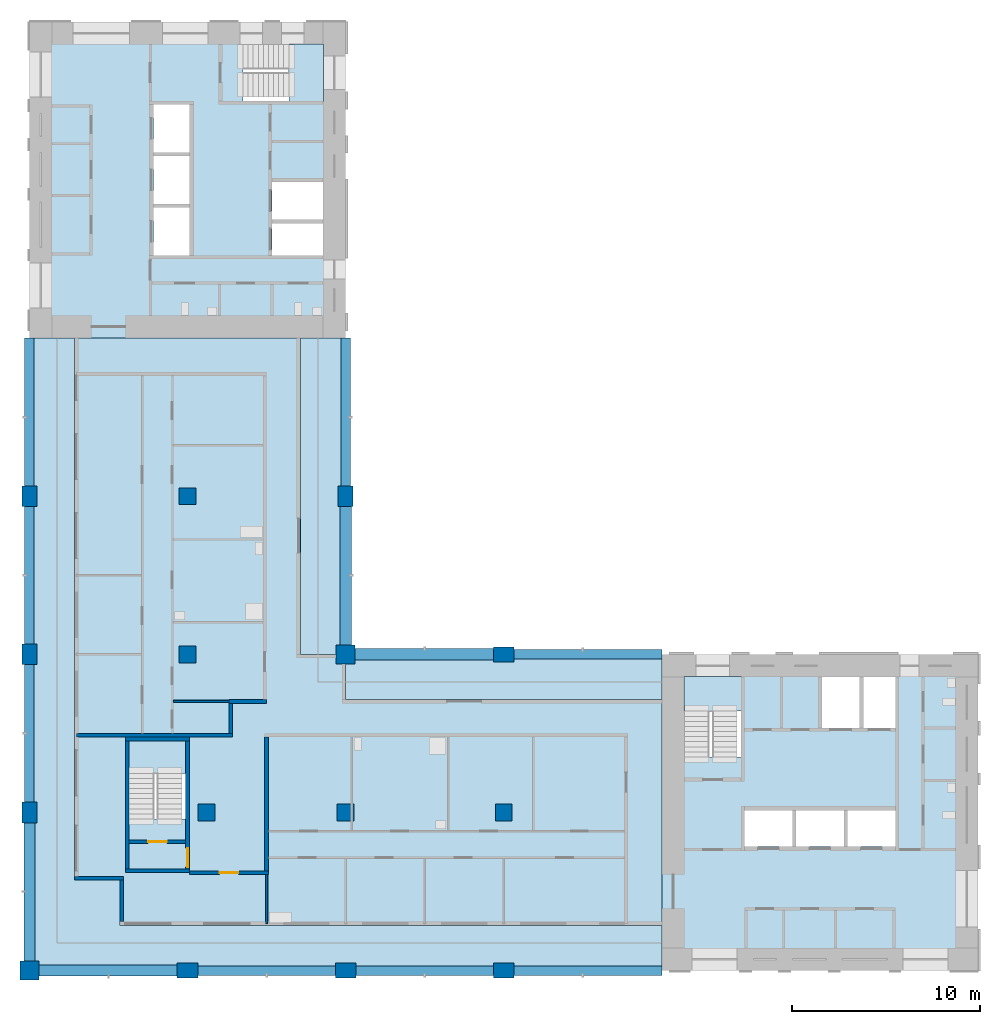
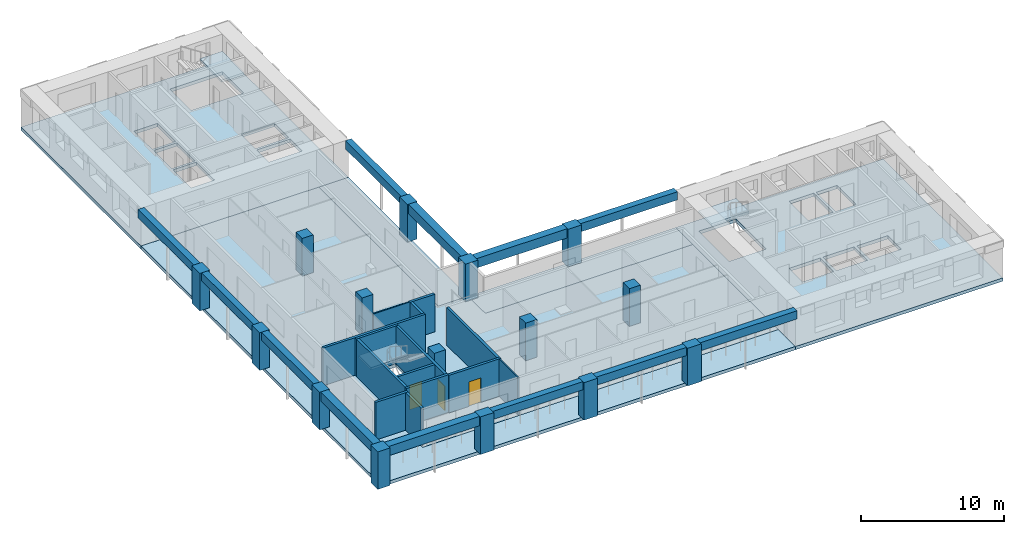
# One storey, part 1 of 9: 15 columns, 14 walls, 12 beams, 10 slabs, 3 doors, 3 openings, 3 elements without a shape of their own.
"""IFC4 building model written with IfcOpenShell, lengths in metres."""

from ifc_helpers import new_model, si_unit, direction, frame, frame_2d, origin, origin_2d, place, context, subcontext, project, spatial, polyline, rectangle, outline, extrude, material, layer, layer_set, material_profile, profile_set, type_object, element, fill, aggregate, save


model = new_model("IFC4")

# Units and contexts
model_context = context("Model", 3, precision=1e-05, world=origin(), true_north=direction((0.0, 1.0)))
body_context = subcontext(model_context, "Body", "Model", "MODEL_VIEW")
ifc_project = project(units=[si_unit("LENGTHUNIT", "METRE"), si_unit("AREAUNIT", "SQUARE_METRE"), si_unit("VOLUMEUNIT", "CUBIC_METRE"), si_unit("PLANEANGLEUNIT", "RADIAN"), si_unit("MASSUNIT", "GRAM", prefix="KILO")], contexts=[model_context])

# Site, building, storey
site_placement = place(None, origin())
site = spatial("IfcSite", under=ifc_project, at=site_placement, CompositionType="ELEMENT")
building_placement = place(site_placement, origin())
building = spatial("IfcBuilding", under=site, at=building_placement, Name="Vermilion Gate Residences", CompositionType="ELEMENT")
storey_placement = place(building_placement, frame((0.0, 0.0, 231.699951171875)))
storey = spatial("IfcBuildingStorey", under=building, at=storey_placement, Name="L60", CompositionType="ELEMENT", Elevation=231.699951171875)

# Columns
ifc_material_1 = material(Name="Concrete C50", Category="concrete")
ifc_material_profile_1 = material_profile(ifc_material_1, rectangle(XDim=1.0, YDim=1.0, at=origin_2d()), Name="RC-1000x1000")
ifc_profile_set_1 = profile_set([ifc_material_profile_1], Name="Concrete C50")
column_type_1 = type_object("IfcColumnType", Name="RC COLUMN 1000 X 1000 C50", PredefinedType="COLUMN", material=ifc_profile_set_1)
for number, where, z_axis, x_axis, name in (
    (1, (8.39990234375, 8.39990234375, 0.0), (0.0, 0.0, 1.0), (1.0, 0.0, 0.0), "Column 2-B L60"),
    (2, (25.199951171875, 25.199951171875, 0.0), (0.0, 0.0, 1.0), (1.0, 0.0, 0.0), "Column 4-D L60"),
):
    element("IfcColumn", number, at=place(storey_placement, frame(where, z_axis=z_axis, x_axis=x_axis)), inside=storey, type_object=column_type_1, Name=name, PredefinedType="COLUMN", context=body_context, shape_type="SweptSolid", body=[
        extrude(rectangle(XDim=1.0, YDim=1.0, at=origin_2d()), origin(), (0.0, 0.0, 1.0), 3.219970703125),
    ])
ifc_material_2 = material(Name="Concrete C50", Category="concrete")
ifc_material_profile_2 = material_profile(ifc_material_2, rectangle(XDim=1.10009765625, YDim=0.800048828125, at=origin_2d()), Name="RC-1100x800")
ifc_profile_set_2 = profile_set([ifc_material_profile_2], Name="Concrete C50")
column_type_2 = type_object("IfcColumnType", Name="RC COLUMN 1100 X 800 C50", PredefinedType="COLUMN", material=ifc_profile_set_2)
for number, where, z_axis, x_axis, name in (
    (3, (8.39990234375, 16.800048828125, 0.0), (0.0, 0.0, 1.0), (0.0, 1.0, 0.0), "Column 2-C L60"),
    (4, (8.39990234375, 25.199951171875, 0.0), (0.0, 0.0, 1.0), (0.0, 1.0, 0.0), "Column 2-D L60"),
    (5, (8.39990234375, 33.60009765625, 0.0), (0.0, 0.0, 1.0), (0.0, 1.0, 0.0), "Column 2-E L60"),
    (6, (16.800048828125, 8.39990234375, 0.0), (0.0, 0.0, 1.0), (1.0, 0.0, 0.0), "Column 3-B L60"),
    (7, (25.199951171875, 8.39990234375, 0.0), (0.0, 0.0, 1.0), (1.0, 0.0, 0.0), "Column 4-B L60"),
    (8, (25.199951171875, 33.60009765625, 0.0), (0.0, 0.0, 1.0), (0.0, 1.0, 0.0), "Column 4-E L60"),
    (9, (33.60009765625, 8.39990234375, 0.0), (0.0, 0.0, 1.0), (1.0, 0.0, 0.0), "Column 5-B L60"),
    (10, (33.60009765625, 25.199951171875, 0.0), (0.0, 0.0, 1.0), (1.0, 0.0, 0.0), "Column 5-D L60"),
):
    element("IfcColumn", number, at=place(storey_placement, frame(where, z_axis=z_axis, x_axis=x_axis)), inside=storey, type_object=column_type_2, Name=name, PredefinedType="COLUMN", context=body_context, shape_type="SweptSolid", body=[
        extrude(rectangle(XDim=1.10009765625, YDim=0.800048828125, at=origin_2d()), origin(), (0.0, 0.0, 1.0), 3.219970703125),
    ])
ifc_material_3 = material(Name="Concrete C50", Category="concrete")
ifc_material_profile_3 = material_profile(ifc_material_3, rectangle(XDim=0.89990234375, YDim=0.89990234375, at=origin_2d()), Name="RC-900x900")
ifc_profile_set_3 = profile_set([ifc_material_profile_3], Name="Concrete C50")
column_type_3 = type_object("IfcColumnType", Name="RC COLUMN 900 X 900 C50", PredefinedType="COLUMN", material=ifc_profile_set_3)
for number, where, z_axis, x_axis, name in (
    (11, (17.800048828125, 16.800048828125, 0.0), (0.0, 0.0, 1.0), (1.0, 0.0, 0.0), "Column 3-C L60"),
    (12, (16.800048828125, 25.199951171875, 0.0), (0.0, 0.0, 1.0), (1.0, 0.0, 0.0), "Column 3-D L60"),
    (13, (16.800048828125, 33.60009765625, 0.0), (0.0, 0.0, 1.0), (1.0, 0.0, 0.0), "Column 3-E L60"),
    (14, (25.199951171875, 16.800048828125, 0.0), (0.0, 0.0, 1.0), (1.0, 0.0, 0.0), "Column 4-C L60"),
    (15, (33.60009765625, 16.800048828125, 0.0), (0.0, 0.0, 1.0), (1.0, 0.0, 0.0), "Column 5-C L60"),
):
    element("IfcColumn", number, at=place(storey_placement, frame(where, z_axis=z_axis, x_axis=x_axis)), inside=storey, type_object=column_type_3, Name=name, PredefinedType="COLUMN", context=body_context, shape_type="SweptSolid", body=[
        extrude(rectangle(XDim=0.89990234375, YDim=0.89990234375, at=origin_2d()), origin(), (0.0, 0.0, 1.0), 3.219970703125),
    ])

# Beams
ifc_material_4 = material(Name="Concrete C60 red-oxide pigmented", Category="concrete")
ifc_material_profile_4 = material_profile(ifc_material_4, rectangle(XDim=0.60009765625, YDim=0.800048828125, at=origin_2d()), Name="RC-600x800")
ifc_profile_set_4 = profile_set([ifc_material_profile_4], Name="Concrete C60 red-oxide pigmented")
beam_type_1 = type_object("IfcBeamType", Name="RC CORNER EDGE BEAM 600 X 800 C60", PredefinedType="BEAM", material=ifc_profile_set_4)
for number, where, z_axis, x_axis, name in (
    (16, (8.89990234375, 8.39990234375, 2.820068359375), (1.0, 0.0, 0.0), (0.0, 1.0, 0.0), "Corner edge beam L60 1"),
    (17, (8.39990234375, 8.89990234375, 2.820068359375), (0.0, 1.0, 0.0), (-1.0, 0.0, 0.0), "Corner edge beam L60 2"),
    (18, (25.199951171875, 25.699951171875, 2.820068359375), (0.0, 1.0, 0.0), (-1.0, 0.0, 0.0), "Corner edge beam L60 7"),
    (19, (25.699951171875, 25.199951171875, 2.820068359375), (1.0, 0.0, 0.0), (0.0, 1.0, 0.0), "Corner edge beam L60 10"),
):
    element("IfcBeam", number, at=place(storey_placement, frame(where, z_axis=z_axis, x_axis=x_axis)), inside=storey, type_object=beam_type_1, Name=name, PredefinedType="BEAM", context=body_context, shape_type="SweptSolid", body=[
        extrude(rectangle(XDim=0.60009765625, YDim=0.800048828125, at=origin_2d()), origin(), (0.0, 0.0, 1.0), 7.35009765625),
    ])
ifc_material_5 = material(Name="Concrete C60 red-oxide pigmented", Category="concrete")
ifc_material_profile_5 = material_profile(ifc_material_5, rectangle(XDim=0.5, YDim=0.699951171875, at=origin_2d()), Name="RC-500x700")
ifc_profile_set_5 = profile_set([ifc_material_profile_5], Name="Concrete C60 red-oxide pigmented")
beam_type_2 = type_object("IfcBeamType", Name="RC EDGE BEAM 500 X 700 C60", PredefinedType="BEAM", material=ifc_profile_set_5)
beam_1_placement = place(storey_placement, frame((8.39990234375, 17.35009765625, 2.8701171875), z_axis=(0.0, 1.0, 0.0), x_axis=(-1.0, 0.0, 0.0)))
element("IfcBeam", 20, at=beam_1_placement, inside=storey, type_object=beam_type_2, Name="Edge beam L60 3", PredefinedType="BEAM", context=body_context, shape_type="SweptSolid", body=[
    extrude(rectangle(XDim=0.5, YDim=0.699951171875, at=origin_2d()), origin(), (0.0, 0.0, 1.0), 7.2998046875),
])
beam_2_placement = place(storey_placement, frame((8.39990234375, 25.75, 2.8701171875), z_axis=(0.0, 1.0, 0.0), x_axis=(-1.0, 0.0, 0.0)))
element("IfcBeam", 21, at=beam_2_placement, inside=storey, type_object=beam_type_2, Name="Edge beam L60 4", PredefinedType="BEAM", context=body_context, shape_type="SweptSolid", body=[
    extrude(rectangle(XDim=0.5, YDim=0.699951171875, at=origin_2d()), origin(), (0.0, 0.0, 1.0), 7.300048828125),
])
beam_3_placement = place(storey_placement, frame((8.39990234375, 34.14990234375, 2.8701171875), z_axis=(0.0, 1.0, 0.0), x_axis=(-1.0, 0.0, 0.0)))
element("IfcBeam", 22, at=beam_3_placement, inside=storey, type_object=beam_type_2, Name="Edge beam L60 5", PredefinedType="BEAM", context=body_context, shape_type="SweptSolid", body=[
    extrude(rectangle(XDim=0.5, YDim=0.699951171875, at=origin_2d()), origin(), (0.0, 0.0, 1.0), 7.85009765625),
])
beam_4_placement = place(storey_placement, frame((17.35009765625, 8.39990234375, 2.8701171875), z_axis=(1.0, 0.0, 0.0), x_axis=(0.0, 1.0, 0.0)))
element("IfcBeam", 23, at=beam_4_placement, inside=storey, type_object=beam_type_2, Name="Edge beam L60 6", PredefinedType="BEAM", context=body_context, shape_type="SweptSolid", body=[
    extrude(rectangle(XDim=0.5, YDim=0.699951171875, at=origin_2d()), origin(), (0.0, 0.0, 1.0), 7.2998046875),
])
beam_5_placement = place(storey_placement, frame((25.199951171875, 34.14990234375, 2.8701171875), z_axis=(0.0, 1.0, 0.0), x_axis=(-1.0, 0.0, 0.0)))
element("IfcBeam", 24, at=beam_5_placement, inside=storey, type_object=beam_type_2, Name="Edge beam L60 8", PredefinedType="BEAM", context=body_context, shape_type="SweptSolid", body=[
    extrude(rectangle(XDim=0.5, YDim=0.699951171875, at=origin_2d()), origin(), (0.0, 0.0, 1.0), 7.85009765625),
])
beam_6_placement = place(storey_placement, frame((25.75, 8.39990234375, 2.8701171875), z_axis=(1.0, 0.0, 0.0), x_axis=(0.0, 1.0, 0.0)))
element("IfcBeam", 25, at=beam_6_placement, inside=storey, type_object=beam_type_2, Name="Edge beam L60 9", PredefinedType="BEAM", context=body_context, shape_type="SweptSolid", body=[
    extrude(rectangle(XDim=0.5, YDim=0.699951171875, at=origin_2d()), origin(), (0.0, 0.0, 1.0), 7.300048828125),
])
for number, where, z_axis, x_axis, name in (
    (26, (34.14990234375, 8.39990234375, 2.8701171875), (1.0, 0.0, 0.0), (0.0, 1.0, 0.0), "Edge beam L60 11"),
    (27, (34.14990234375, 25.199951171875, 2.8701171875), (1.0, 0.0, 0.0), (0.0, 1.0, 0.0), "Edge beam L60 12"),
):
    element("IfcBeam", number, at=place(storey_placement, frame(where, z_axis=z_axis, x_axis=x_axis)), inside=storey, type_object=beam_type_2, Name=name, PredefinedType="BEAM", context=body_context, shape_type="SweptSolid", body=[
        extrude(rectangle(XDim=0.5, YDim=0.699951171875, at=origin_2d()), origin(), (0.0, 0.0, 1.0), 7.85009765625),
    ])

# Slabs
ifc_material_6 = material(Name="Concrete C50", Category="concrete")
ifc_layer_1 = layer(ifc_material_6, 0.280029296875)
ifc_layer_set_1 = layer_set([ifc_layer_1], Name="RC CORE FLOOR SLAB 280 C50")
slab_type_1 = type_object("IfcSlabType", Name="RC CORE FLOOR SLAB 280 C50", PredefinedType="FLOOR", material=ifc_layer_set_1)
slab_1_placement = place(storey_placement, frame((0.0, 0.0, -0.280029296875)))
element("IfcSlab", 28, at=slab_1_placement, inside=storey, type_object=slab_type_1, Name="Core floor slab A60", PredefinedType="FLOOR", context=body_context, shape_type="SweptSolid", body=[
    extrude(outline(polyline([(42.0, 8.39990234375), (58.800048828125, 8.39990234375), (58.800048828125, 25.199951171875), (42.0, 25.199951171875), (42.0, 8.39990234375)]), holes=[polyline([(46.39990234375, 15.0), (46.39990234375, 16.89990234375), (48.933349609375, 16.89990234375), (48.933349609375, 15.0), (46.39990234375, 15.0)]), polyline([(49.13330078125, 16.89990234375), (51.666748046875, 16.89990234375), (51.666748046875, 15.0), (49.13330078125, 15.0), (49.13330078125, 16.89990234375)]), polyline([(51.86669921875, 16.89990234375), (54.39990234375, 16.89990234375), (54.39990234375, 15.0), (51.86669921875, 15.0), (51.86669921875, 16.89990234375)]), polyline([(43.199951171875, 19.75), (43.199951171875, 24.0), (46.199951171875, 24.0), (46.199951171875, 19.75), (43.199951171875, 19.75)]), polyline([(50.5, 24.0), (52.5, 24.0), (52.5, 21.300048828125), (50.5, 21.300048828125), (50.5, 24.0)]), polyline([(52.699951171875, 24.0), (54.39990234375, 24.0), (54.39990234375, 21.300048828125), (52.699951171875, 21.300048828125), (52.699951171875, 24.0)])]), origin(), (0.0, 0.0, 1.0), 0.280029296875),
])
slab_2_placement = place(storey_placement, frame((0.0, 0.0, -0.280029296875)))
element("IfcSlab", 29, at=slab_2_placement, inside=storey, type_object=slab_type_1, Name="Core floor slab B60", PredefinedType="FLOOR", context=body_context, shape_type="SweptSolid", body=[
    extrude(outline(polyline([(8.39990234375, 42.0), (25.199951171875, 42.0), (25.199951171875, 58.800048828125), (8.39990234375, 58.800048828125), (8.39990234375, 42.0)]), holes=[polyline([(21.300048828125, 46.39990234375), (21.300048828125, 48.10009765625), (24.0, 48.10009765625), (24.0, 46.39990234375), (21.300048828125, 46.39990234375)]), polyline([(15.0, 48.933349609375), (16.89990234375, 48.933349609375), (16.89990234375, 46.39990234375), (15.0, 46.39990234375), (15.0, 48.933349609375)]), polyline([(21.300048828125, 50.300048828125), (24.0, 50.300048828125), (24.0, 48.300048828125), (21.300048828125, 48.300048828125), (21.300048828125, 50.300048828125)]), polyline([(15.0, 49.13330078125), (15.0, 51.666748046875), (16.89990234375, 51.666748046875), (16.89990234375, 49.13330078125), (15.0, 49.13330078125)]), polyline([(15.0, 54.39990234375), (16.89990234375, 54.39990234375), (16.89990234375, 51.86669921875), (15.0, 51.86669921875), (15.0, 54.39990234375)]), polyline([(19.75, 57.60009765625), (24.0, 57.60009765625), (24.0, 54.60009765625), (19.75, 54.60009765625), (19.75, 57.60009765625)])]), origin(), (0.0, 0.0, 1.0), 0.280029296875),
])
slab_3_placement = place(storey_placement, frame((0.0, 0.0, -0.280029296875)))
element("IfcSlab", 30, at=slab_3_placement, inside=storey, type_object=slab_type_1, Name="Apex stair floor slab 60", PredefinedType="FLOOR", context=body_context, shape_type="SweptSolid", body=[
    extrude(outline(polyline([(13.5, 13.60009765625), (16.89990234375, 13.60009765625), (16.89990234375, 20.800048828125), (13.5, 20.800048828125), (13.5, 13.60009765625)]), holes=[polyline([(16.699951171875, 20.60009765625), (16.699951171875, 16.449951171875), (13.699951171875, 16.449951171875), (13.699951171875, 20.60009765625), (16.699951171875, 20.60009765625)])]), origin(), (0.0, 0.0, 1.0), 0.280029296875),
])
ifc_material_7 = material(Name="Concrete C50", Category="concrete")
ifc_layer_2 = layer(ifc_material_7, 0.280029296875)
ifc_layer_set_2 = layer_set([ifc_layer_2], Name="RC FLAT PLATE 280 C50")
slab_type_2 = type_object("IfcSlabType", Name="RC FLAT PLATE 280 C50", PredefinedType="FLOOR", material=ifc_layer_set_2)
slab_4_placement = place(storey_placement, frame((0.0, 0.0, -0.280029296875)))
element("IfcSlab", 31, at=slab_4_placement, inside=storey, type_object=slab_type_2, Name="Floor slab L60", PredefinedType="FLOOR", context=body_context, shape_type="SweptSolid", body=[
    extrude(outline(polyline([(22.800048828125, 25.199951171875), (22.800048828125, 42.0), (10.800048828125, 42.0), (10.800048828125, 13.199951171875), (13.199951171875, 13.199951171875), (13.199951171875, 10.800048828125), (42.0, 10.800048828125), (42.0, 22.800048828125), (25.199951171875, 22.800048828125), (25.199951171875, 25.199951171875), (22.800048828125, 25.199951171875)]), holes=[polyline([(13.5, 13.60009765625), (13.5, 20.800048828125), (16.89990234375, 20.800048828125), (16.89990234375, 13.60009765625), (13.5, 13.60009765625)])]), origin(), (0.0, 0.0, 1.0), 0.280029296875),
])
ifc_material_8 = material(Name="Concrete C50 red-oxide pigmented", Category="concrete")
ifc_layer_3 = layer(ifc_material_8, 0.280029296875)
ifc_layer_set_3 = layer_set([ifc_layer_3], Name="RC LOGGIA SLAB 280 C50")
slab_type_3 = type_object("IfcSlabType", Name="RC LOGGIA SLAB 280 C50", PredefinedType="FLOOR", material=ifc_layer_set_3)
slab_5_placement = place(storey_placement, frame((0.0, 0.0, -0.280029296875)))
element("IfcSlab", 32, at=slab_5_placement, inside=storey, type_object=slab_type_3, Name="Loggia slab L60", PredefinedType="FLOOR", context=body_context, shape_type="SweptSolid", body=[
    extrude(outline(polyline([(8.39990234375, 8.39990234375), (42.0, 8.39990234375), (42.0, 10.800048828125), (13.199951171875, 10.800048828125), (13.199951171875, 13.199951171875), (10.800048828125, 13.199951171875), (10.800048828125, 42.0), (8.39990234375, 42.0), (8.39990234375, 8.39990234375)])), origin(), (0.0, 0.0, 1.0), 0.280029296875),
])
slab_6_placement = place(storey_placement, frame((0.0, 0.0, -0.280029296875)))
element("IfcSlab", 33, at=slab_6_placement, inside=storey, type_object=slab_type_3, Name="Loggia slab L60", PredefinedType="FLOOR", context=body_context, shape_type="SweptSolid", body=[
    extrude(outline(polyline([(25.199951171875, 22.800048828125), (42.0, 22.800048828125), (42.0, 25.199951171875), (25.199951171875, 25.199951171875), (25.199951171875, 22.800048828125)])), origin(), (0.0, 0.0, 1.0), 0.280029296875),
])
slab_7_placement = place(storey_placement, frame((0.0, 0.0, -0.280029296875)))
element("IfcSlab", 34, at=slab_7_placement, inside=storey, type_object=slab_type_3, Name="Loggia slab L60", PredefinedType="FLOOR", context=body_context, shape_type="SweptSolid", body=[
    extrude(outline(polyline([(25.199951171875, 42.0), (22.800048828125, 42.0), (22.800048828125, 25.199951171875), (25.199951171875, 25.199951171875), (25.199951171875, 42.0)])), origin(), (0.0, 0.0, 1.0), 0.280029296875),
])

# Stair, slab
ifc_material_9 = material(Name="Concrete C50", Category="concrete")
stair_type = type_object("IfcStairType", Name="SPECIAL ESCAPE STAIR 1300", PredefinedType="HALF_TURN_STAIR", material=ifc_material_9)
stair_1_placement = place(storey_placement, origin())
stair_1 = element("IfcStair", 35, at=stair_1_placement, inside=storey, type_object=stair_type, Name="Special escape stair STA1-60", PredefinedType="HALF_TURN_STAIR")
ifc_material_10 = material(Name="Concrete C50", Category="concrete")
ifc_layer_4 = layer(ifc_material_10, 0.199951171875)
ifc_layer_set_4 = layer_set([ifc_layer_4], Name="STAIR LANDING 200 C50")
slab_type_4 = type_object("IfcSlabType", Name="STAIR LANDING 200 C50", PredefinedType="LANDING", material=ifc_layer_set_4)
slab_8_placement = place(storey_placement, frame((0.0, 0.0, 1.550048828125)))
slab_8 = element("IfcSlab", 36, at=slab_8_placement, type_object=slab_type_4, Name="STA1-60 landing 1", PredefinedType="LANDING", context=body_context, shape_type="SweptSolid", body=[
    extrude(outline(polyline([(46.219970703125, 22.179931640625), (46.219970703125, 24.02001953125), (43.179931640625, 24.02001953125), (43.179931640625, 22.179931640625), (46.219970703125, 22.179931640625)])), origin(), (0.0, 0.0, 1.0), 0.199951171875),
])
aggregate(stair_1, [slab_8])

stair_2_placement = place(storey_placement, origin())
stair_2 = element("IfcStair", 37, at=stair_2_placement, inside=storey, type_object=stair_type, Name="Special escape stair STB1-60", PredefinedType="HALF_TURN_STAIR")
slab_9_placement = place(storey_placement, frame((0.0, 0.0, 1.550048828125)))
slab_9 = element("IfcSlab", 38, at=slab_9_placement, type_object=slab_type_4, Name="STB1-60 landing 1", PredefinedType="LANDING", context=body_context, shape_type="SweptSolid", body=[
    extrude(outline(polyline([(24.02001953125, 54.580078125), (24.02001953125, 57.6201171875), (22.179931640625, 57.6201171875), (22.179931640625, 54.580078125), (24.02001953125, 54.580078125)])), origin(), (0.0, 0.0, 1.0), 0.199951171875),
])
aggregate(stair_2, [slab_9])

stair_3_placement = place(storey_placement, origin())
stair_3 = element("IfcStair", 39, at=stair_3_placement, inside=storey, type_object=stair_type, Name="Special escape stair STC1-60", PredefinedType="HALF_TURN_STAIR")
slab_10_placement = place(storey_placement, frame((0.0, 0.0, 1.550048828125)))
slab_10 = element("IfcSlab", 40, at=slab_10_placement, type_object=slab_type_4, Name="STC1-60 landing 1", PredefinedType="LANDING", context=body_context, shape_type="SweptSolid", body=[
    extrude(outline(polyline([(16.719970703125, 18.8798828125), (16.719970703125, 20.6201171875), (13.679931640625, 20.6201171875), (13.679931640625, 18.8798828125), (16.719970703125, 18.8798828125)])), origin(), (0.0, 0.0, 1.0), 0.199951171875),
])
aggregate(stair_3, [slab_10])

# Walls
ifc_material_11 = material(Name="Insulated steel stud wall with terracotta rainscreen", Category="masonry")
ifc_layer_5 = layer(ifc_material_11, 0.199951171875)
ifc_layer_set_5 = layer_set([ifc_layer_5], Name="EXTERNAL WALL 200 TERRACOTTA RAINSCREEN")
wall_type_1 = type_object("IfcWallType", Name="EXTERNAL WALL 200 TERRACOTTA RAINSCREEN", PredefinedType="SOLIDWALL", material=ifc_layer_set_5)
wall_1_placement = place(storey_placement, frame((10.800048828125, 13.300048828125, 0.0), z_axis=(0.0, 0.0, 1.0), x_axis=(1.0, 0.0, 0.0)))
element("IfcWall", 41, at=wall_1_placement, inside=storey, type_object=wall_type_1, Name="External wall", PredefinedType="SOLIDWALL", context=body_context, shape_type="SweptSolid", body=[
    extrude(rectangle(XDim=2.599853515625, YDim=0.199951171875, at=frame_2d((1.2998046875, 0.0))), origin(), (0.0, 0.0, 1.0), 3.219970703125),
])
wall_2_placement = place(storey_placement, frame((13.300048828125, 13.199951171875, 0.0), z_axis=(0.0, 0.0, 1.0), x_axis=(0.0, -1.0, 0.0)))
element("IfcWall", 42, at=wall_2_placement, inside=storey, type_object=wall_type_1, Name="External wall", PredefinedType="SOLIDWALL", context=body_context, shape_type="SweptSolid", body=[
    extrude(rectangle(XDim=2.199951171875, YDim=0.199951171875, at=frame_2d((1.10009765625, 0.0))), origin(), (0.0, 0.0, 1.0), 3.219970703125),
])
ifc_material_12 = material(Name="Plasterboard on steel studs", Category="steel")
ifc_layer_6 = layer(ifc_material_12, 0.10009765625)
ifc_layer_set_6 = layer_set([ifc_layer_6], Name="PARTITION 100")
wall_type_2 = type_object("IfcWallType", Name="PARTITION 100", PredefinedType="PARTITIONING", material=ifc_layer_set_6)
wall_3_placement = place(storey_placement, frame((16.050048828125, 22.699951171875, 0.0), z_axis=(0.0, 0.0, 1.0), x_axis=(1.0, 0.0, 0.0)))
element("IfcWall", 43, at=wall_3_placement, inside=storey, type_object=wall_type_2, Name="Partition", PredefinedType="PARTITIONING", context=body_context, shape_type="SweptSolid", body=[
    extrude(rectangle(XDim=2.949951171875, YDim=0.10009765625, at=frame_2d((1.47509765625, 0.0))), origin(), (0.0, 0.0, 1.0), 3.219970703125),
])
wall_4_placement = place(storey_placement, frame((21.0, 10.89990234375, 0.0), z_axis=(0.0, 0.0, 1.0), x_axis=(0.0, 1.0, 0.0)))
element("IfcWall", 44, at=wall_4_placement, inside=storey, type_object=wall_type_2, Name="Partition", PredefinedType="PARTITIONING", context=body_context, shape_type="SweptSolid", body=[
    extrude(rectangle(XDim=2.60009765625, YDim=0.10009765625, at=frame_2d((1.300048828125, 0.0))), origin(), (0.0, 0.0, 1.0), 3.219970703125),
])

# Wall, opening, door
ifc_material_13 = material(Name="Fire-rated plasterboard on steel studs", Category="steel")
ifc_layer_7 = layer(ifc_material_13, 0.199951171875)
ifc_layer_set_7 = layer_set([ifc_layer_7], Name="PARTY WALL 200 EI 120")
wall_type_3 = type_object("IfcWallType", Name="PARTY WALL 200 EI 120", PredefinedType="PARTITIONING", material=ifc_layer_set_7)
wall_5_placement = place(storey_placement, frame((16.89990234375, 13.60009765625, 0.0), z_axis=(0.0, 0.0, 1.0), x_axis=(1.0, 0.0, 0.0)))
wall_5 = element("IfcWall", 45, at=wall_5_placement, inside=storey, type_object=wall_type_3, Name="Party and corridor wall", PredefinedType="PARTITIONING", context=body_context, shape_type="SweptSolid", body=[
    extrude(rectangle(XDim=4.2001953125, YDim=0.199951171875, at=frame_2d((2.10009765625, 0.0))), origin(), (0.0, 0.0, 1.0), 3.219970703125),
])
opening_1_placement = place(wall_5_placement, frame((1.60009765625, 0.0, 0.0)))
opening_1 = element("IfcOpeningElement", 46, at=opening_1_placement, cuts=wall_5, Name="Opening DA58001", PredefinedType="OPENING", context=body_context, shape_type="SweptSolid", body=[
    extrude(rectangle(XDim=1.0, YDim=2.10009765625, at=frame_2d((0.5, 1.050048828125))), frame((0.0, 0.10986328125, 0.0), z_axis=(0.0, -1.0, 0.0), x_axis=(1.0, 0.0, 0.0)), (0.0, 0.0, 1.0), 0.219970703125),
])
ifc_material_14 = material(Name="Steel", Category="steel")
door_type_1 = type_object("IfcDoorType", Name="ENTRANCE DOOR 1000 X 2100 FD30", OperationType="SINGLE_SWING_LEFT", PredefinedType="DOOR", material=ifc_material_14)
door_1_placement = place(opening_1_placement, frame((1.0, 0.0, 0.0), z_axis=(0.0, 0.0, 1.0), x_axis=(-1.0, 0.0, 0.0)))
door_1 = element("IfcDoor", 47, at=door_1_placement, inside=storey, type_object=door_type_1, Name="Entrance door", OperationType="SINGLE_SWING_LEFT", OverallHeight=2.10009765625, OverallWidth=1.0, PredefinedType="DOOR", context=body_context, shape_type="SweptSolid", body=[
    extrude(rectangle(XDim=1.0, YDim=2.10009765625, at=frame_2d((0.5, 1.050048828125))), frame((0.0, 0.02490234375, 0.0), z_axis=(0.0, -1.0, 0.0), x_axis=(1.0, 0.0, 0.0)), (0.0, 0.0, 1.0), 0.050048828125),
])
fill(opening_1, door_1)

# Walls
wall_6_placement = place(storey_placement, frame((10.89990234375, 20.89990234375, 0.0), z_axis=(0.0, 0.0, 1.0), x_axis=(1.0, 0.0, 0.0)))
element("IfcWall", 48, at=wall_6_placement, inside=storey, type_object=wall_type_3, Name="Party and corridor wall", PredefinedType="PARTITIONING", context=body_context, shape_type="SweptSolid", body=[
    extrude(rectangle(XDim=8.300048828125, YDim=0.199951171875, at=frame_2d((4.14990234375, 0.0))), origin(), (0.0, 0.0, 1.0), 3.219970703125),
])
wall_7_placement = place(storey_placement, frame((19.0, 22.699951171875, 0.0), z_axis=(0.0, 0.0, 1.0), x_axis=(1.0, 0.0, 0.0)))
element("IfcWall", 49, at=wall_7_placement, inside=storey, type_object=wall_type_3, Name="Party and corridor wall", PredefinedType="PARTITIONING", context=body_context, shape_type="SweptSolid", body=[
    extrude(rectangle(XDim=2.0, YDim=0.199951171875, at=frame_2d((1.0, 0.0))), origin(), (0.0, 0.0, 1.0), 3.219970703125),
])
wall_8_placement = place(storey_placement, frame((19.10009765625, 21.0, 0.0), z_axis=(0.0, 0.0, 1.0), x_axis=(0.0, 1.0, 0.0)))
element("IfcWall", 50, at=wall_8_placement, inside=storey, type_object=wall_type_3, Name="Party and corridor wall", PredefinedType="PARTITIONING", context=body_context, shape_type="SweptSolid", body=[
    extrude(rectangle(XDim=1.60009765625, YDim=0.199951171875, at=frame_2d((0.800048828125, 0.0))), origin(), (0.0, 0.0, 1.0), 3.219970703125),
])
wall_9_placement = place(storey_placement, frame((21.0, 13.699951171875, 0.0), z_axis=(0.0, 0.0, 1.0), x_axis=(0.0, 1.0, 0.0)))
element("IfcWall", 51, at=wall_9_placement, inside=storey, type_object=wall_type_3, Name="Party and corridor wall", PredefinedType="PARTITIONING", context=body_context, shape_type="SweptSolid", body=[
    extrude(rectangle(XDim=7.10009765625, YDim=0.199951171875, at=frame_2d((3.550048828125, 0.0))), origin(), (0.0, 0.0, 1.0), 3.219970703125),
])
ifc_material_15 = material(Name="Concrete C60", Category="concrete")
ifc_layer_8 = layer(ifc_material_15, 0.199951171875)
ifc_layer_set_8 = layer_set([ifc_layer_8], Name="RC CORE INTERNAL WALL 200 C60")
wall_type_4 = type_object("IfcWallType", Name="RC CORE INTERNAL WALL 200 C60", PredefinedType="SHEAR", material=ifc_layer_set_8)
wall_10_placement = place(storey_placement, frame((13.60009765625, 13.800048828125, 0.0), z_axis=(0.0, 0.0, 1.0), x_axis=(0.0, 1.0, 0.0)))
element("IfcWall", 52, at=wall_10_placement, inside=storey, type_object=wall_type_4, Name="Core internal wall C60-W", PredefinedType="SHEAR", context=body_context, shape_type="SweptSolid", body=[
    extrude(rectangle(XDim=6.800048828125, YDim=0.199951171875, at=frame_2d((3.39990234375, 0.0))), origin(), (0.0, 0.0, 1.0), 3.219970703125),
])

# Wall, opening, door
wall_11_placement = place(storey_placement, frame((16.800048828125, 13.800048828125, 0.0), z_axis=(0.0, 0.0, 1.0), x_axis=(0.0, 1.0, 0.0)))
wall_11 = element("IfcWall", 53, at=wall_11_placement, inside=storey, type_object=wall_type_4, Name="Core internal wall C60-E", PredefinedType="SHEAR", context=body_context, shape_type="SweptSolid", body=[
    extrude(rectangle(XDim=6.800048828125, YDim=0.199951171875, at=frame_2d((3.39990234375, 0.0))), origin(), (0.0, 0.0, 1.0), 3.219970703125),
])
opening_2_placement = place(wall_11_placement, frame((0.10009765625, 0.0, 0.0)))
opening_2 = element("IfcOpeningElement", 54, at=opening_2_placement, cuts=wall_11, Name="Opening DK60201", PredefinedType="OPENING", context=body_context, shape_type="SweptSolid", body=[
    extrude(rectangle(XDim=1.0, YDim=2.10009765625, at=frame_2d((0.5, 1.050048828125))), frame((0.0, 0.10986328125, 0.0), z_axis=(0.0, -1.0, 0.0), x_axis=(1.0, 0.0, 0.0)), (0.0, 0.0, 1.0), 0.219970703125),
])
ifc_material_16 = material(Name="Steel", Category="steel")
door_type_2 = type_object("IfcDoorType", Name="FIRE DOOR FD60 1000 X 2100", OperationType="SINGLE_SWING_LEFT", PredefinedType="DOOR", material=ifc_material_16)
door_2_placement = place(opening_2_placement, frame((1.0, 0.0, 0.0), z_axis=(0.0, 0.0, 1.0), x_axis=(-1.0, 0.0, 0.0)))
door_2 = element("IfcDoor", 55, at=door_2_placement, inside=storey, type_object=door_type_2, Name="Stair vestibule door C60", OperationType="SINGLE_SWING_RIGHT", OverallHeight=2.10009765625, OverallWidth=1.0, PredefinedType="DOOR", context=body_context, shape_type="SweptSolid", body=[
    extrude(rectangle(XDim=1.0, YDim=2.10009765625, at=frame_2d((0.5, 1.050048828125))), frame((0.0, 0.02490234375, 0.0), z_axis=(0.0, -1.0, 0.0), x_axis=(1.0, 0.0, 0.0)), (0.0, 0.0, 1.0), 0.050048828125),
])
fill(opening_2, door_2)

# Walls
for number, where, z_axis, x_axis, name in (
    (56, (13.5, 13.699951171875, 0.0), (0.0, 0.0, 1.0), (1.0, 0.0, 0.0), "Core internal wall C60-S"),
    (57, (13.5, 20.699951171875, 0.0), (0.0, 0.0, 1.0), (1.0, 0.0, 0.0), "Core internal wall C60-N"),
):
    element("IfcWall", number, at=place(storey_placement, frame(where, z_axis=z_axis, x_axis=x_axis)), inside=storey, type_object=wall_type_4, Name=name, PredefinedType="SHEAR", context=body_context, shape_type="SweptSolid", body=[
        extrude(rectangle(XDim=3.39990234375, YDim=0.199951171875, at=frame_2d((1.699951171875, 0.0))), origin(), (0.0, 0.0, 1.0), 3.219970703125),
    ])

# Wall, opening, door
wall_12_placement = place(storey_placement, frame((13.699951171875, 15.25, 0.0), z_axis=(0.0, 0.0, 1.0), x_axis=(1.0, 0.0, 0.0)))
wall_12 = element("IfcWall", 58, at=wall_12_placement, inside=storey, type_object=wall_type_4, Name="Core internal wall C60-P", PredefinedType="SHEAR", context=body_context, shape_type="SweptSolid", body=[
    extrude(rectangle(XDim=3.0, YDim=0.199951171875, at=frame_2d((1.5, 0.0))), origin(), (0.0, 0.0, 1.0), 3.219970703125),
])
opening_3_placement = place(wall_12_placement, frame((1.0, 0.0, 0.0)))
opening_3 = element("IfcOpeningElement", 59, at=opening_3_placement, cuts=wall_12, Name="Opening DK60202", PredefinedType="OPENING", context=body_context, shape_type="SweptSolid", body=[
    extrude(rectangle(XDim=1.0, YDim=2.10009765625, at=frame_2d((0.5, 1.050048828125))), frame((0.0, 0.10986328125, 0.0), z_axis=(0.0, -1.0, 0.0), x_axis=(1.0, 0.0, 0.0)), (0.0, 0.0, 1.0), 0.219970703125),
])
door_3_placement = place(opening_3_placement, origin())
door_3 = element("IfcDoor", 60, at=door_3_placement, inside=storey, type_object=door_type_2, Name="Stair door C60", OperationType="SINGLE_SWING_LEFT", OverallHeight=2.10009765625, OverallWidth=1.0, PredefinedType="DOOR", context=body_context, shape_type="SweptSolid", body=[
    extrude(rectangle(XDim=1.0, YDim=2.10009765625, at=frame_2d((0.5, 1.050048828125))), frame((0.0, 0.02490234375, 0.0), z_axis=(0.0, -1.0, 0.0), x_axis=(1.0, 0.0, 0.0)), (0.0, 0.0, 1.0), 0.050048828125),
])
fill(opening_3, door_3)

save(model, "model.ifc")
